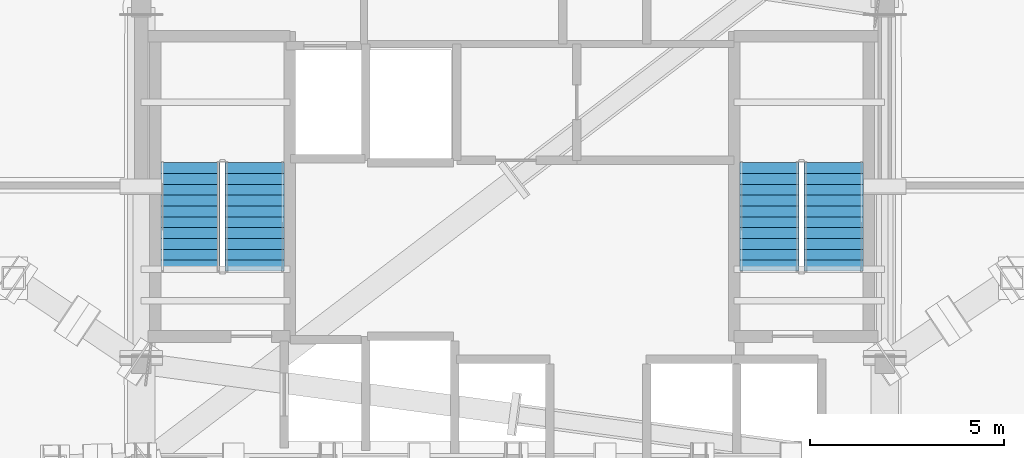
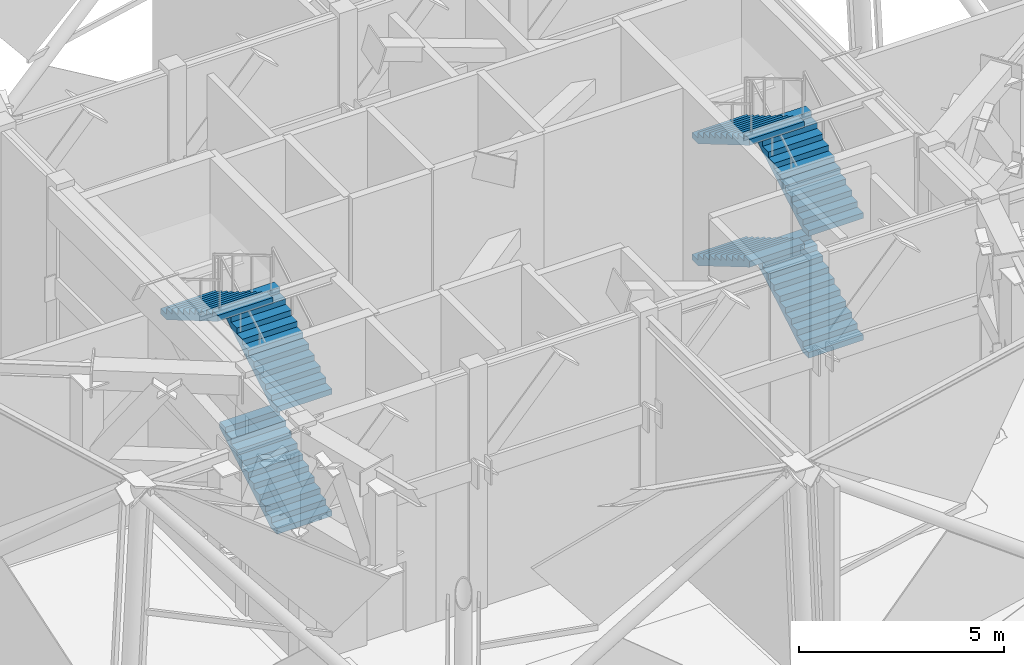
# One storey, part 9 of 12: 7 stair flights, 2 elements without a shape of their own.
"""IFC4 building model written with IfcOpenShell, lengths in metres."""

from ifc_helpers import new_model, si_unit, direction, frame, origin, place, context, subcontext, project, spatial, polyline, outline, extrude, material, type_object, element, aggregate, save


model = new_model("IFC4")

# Units and contexts
model_context = context("Model", 3, precision=1e-05, world=origin(), true_north=direction((0.0, 1.0)))
body_context = subcontext(model_context, "Body", "Model", "MODEL_VIEW")
ifc_project = project(units=[si_unit("LENGTHUNIT", "METRE"), si_unit("AREAUNIT", "SQUARE_METRE"), si_unit("VOLUMEUNIT", "CUBIC_METRE"), si_unit("PLANEANGLEUNIT", "RADIAN"), si_unit("MASSUNIT", "GRAM", prefix="KILO")], contexts=[model_context])

# Site, building, storey
site_placement = place(None, origin())
site = spatial("IfcSite", under=ifc_project, at=site_placement, CompositionType="ELEMENT")
building_placement = place(site_placement, origin())
building = spatial("IfcBuilding", under=site, at=building_placement, Name="Vantalir Tower", CompositionType="ELEMENT")
storey_placement = place(building_placement, frame((0.0, 0.0, 304.5)))
storey = spatial("IfcBuildingStorey", under=building, at=storey_placement, Name="L76", CompositionType="ELEMENT", Elevation=304.5)

# Stair, stair flights
ifc_material = material(Name="Concrete C40/50", Category="concrete")
stair_type = type_object("IfcStairType", Name="STR-CORE-1450", PredefinedType="HALF_TURN_STAIR", material=ifc_material)
stair_1_placement = place(storey_placement, origin())
stair_1 = element("IfcStair", 1, at=stair_1_placement, inside=storey, type_object=stair_type, Name="L76 Core Exit Stair 1", PredefinedType="HALF_TURN_STAIR")
stair_flight_type = type_object("IfcStairFlightType", Name="FLT-CORE-1450", PredefinedType="STRAIGHT", material=ifc_material)
stair_flight_1_placement = place(storey_placement, frame((24.830078125, 22.7900390625, 0.0), z_axis=(0.0, 0.0, 1.0), x_axis=(0.0, 1.0, 0.0)))
stair_flight_1 = element("IfcStairFlight", 2, at=stair_flight_1_placement, type_object=stair_flight_type, Name="ST1 flight 1", NumberOfRisers=11, NumberOfTreads=10, PredefinedType="STRAIGHT", RiserHeight=0.164772727, TreadLength=0.28, context=body_context, shape_type="SweptSolid", body=[
    extrude(outline(polyline([(0.0, 0.0), (0.0, 0.164794921875), (0.280029296875, 0.164794921875), (0.280029296875, 0.32958984375), (0.56005859375, 0.32958984375), (0.56005859375, 0.494384765625), (0.840087890625, 0.494384765625), (0.840087890625, 0.6591796875), (1.1201171875, 0.6591796875), (1.1201171875, 0.823974609375), (1.39990234375, 0.823974609375), (1.39990234375, 0.988525390625), (1.679931640625, 0.988525390625), (1.679931640625, 1.1533203125), (1.9599609375, 1.1533203125), (1.9599609375, 1.318115234375), (2.239990234375, 1.318115234375), (2.239990234375, 1.48291015625), (2.52001953125, 1.48291015625), (2.52001953125, 1.647705078125), (2.800048828125, 1.647705078125), (2.800048828125, 1.8125), (2.800048828125, 1.473876953125), (0.295654296875, 0.0), (0.0, 0.0)])), frame((0.0, 0.77001953125, 0.0), z_axis=(0.0, -1.0, 0.0), x_axis=(1.0, 0.0, 0.0)), (0.0, 0.0, 1.0), 1.5400390625),
])
stair_flight_2_placement = place(storey_placement, frame((24.830078125, 22.7900390625, 3.625), z_axis=(0.0, 0.0, 1.0), x_axis=(0.0, 1.0, 0.0)))
stair_flight_2 = element("IfcStairFlight", 3, at=stair_flight_2_placement, type_object=stair_flight_type, Name="ST1 flight 3", NumberOfRisers=11, NumberOfTreads=10, PredefinedType="STRAIGHT", RiserHeight=0.164772727, TreadLength=0.28, context=body_context, shape_type="SweptSolid", body=[
    extrude(outline(polyline([(0.0, 0.0), (0.0, 0.164794921875), (0.280029296875, 0.164794921875), (0.280029296875, 0.32958984375), (0.56005859375, 0.32958984375), (0.56005859375, 0.494384765625), (0.840087890625, 0.494384765625), (0.840087890625, 0.6591796875), (1.1201171875, 0.6591796875), (1.1201171875, 0.823974609375), (1.39990234375, 0.823974609375), (1.39990234375, 0.988525390625), (1.679931640625, 0.988525390625), (1.679931640625, 1.1533203125), (1.9599609375, 1.1533203125), (1.9599609375, 1.318115234375), (2.239990234375, 1.318115234375), (2.239990234375, 1.48291015625), (2.52001953125, 1.48291015625), (2.52001953125, 1.647705078125), (2.800048828125, 1.647705078125), (2.800048828125, 1.8125), (2.800048828125, 1.473876953125), (0.295654296875, 0.0), (0.0, 0.0)])), frame((0.0, 0.77001953125, 0.0), z_axis=(0.0, -1.0, 0.0), x_axis=(1.0, 0.0, 0.0)), (0.0, 0.0, 1.0), 1.5400390625),
])
stair_flight_3_placement = place(storey_placement, frame((23.169921875, 25.590087890625, 5.4375), z_axis=(0.0, 0.0, 1.0), x_axis=(0.0, -1.0, 0.0)))
stair_flight_3 = element("IfcStairFlight", 4, at=stair_flight_3_placement, type_object=stair_flight_type, Name="ST1 flight 4", NumberOfRisers=11, NumberOfTreads=10, PredefinedType="STRAIGHT", RiserHeight=0.164772727, TreadLength=0.28, context=body_context, shape_type="SweptSolid", body=[
    extrude(outline(polyline([(0.0, 0.0), (0.0, 0.164794921875), (0.280029296875, 0.164794921875), (0.280029296875, 0.32958984375), (0.56005859375, 0.32958984375), (0.56005859375, 0.494384765625), (0.840087890625, 0.494384765625), (0.840087890625, 0.6591796875), (1.1201171875, 0.6591796875), (1.1201171875, 0.823974609375), (1.39990234375, 0.823974609375), (1.39990234375, 0.988525390625), (1.679931640625, 0.988525390625), (1.679931640625, 1.1533203125), (1.9599609375, 1.1533203125), (1.9599609375, 1.318115234375), (2.239990234375, 1.318115234375), (2.239990234375, 1.48291015625), (2.52001953125, 1.48291015625), (2.52001953125, 1.647705078125), (2.800048828125, 1.647705078125), (2.800048828125, 1.8125), (2.800048828125, 1.473876953125), (0.295654296875, 0.0), (0.0, 0.0)])), frame((0.0, 0.77001953125, 0.0), z_axis=(0.0, -1.0, 0.0), x_axis=(1.0, 0.0, 0.0)), (0.0, 0.0, 1.0), 1.5400390625),
])
aggregate(stair_1, [stair_flight_1, stair_flight_2, stair_flight_3])

stair_2_placement = place(storey_placement, origin())
stair_2 = element("IfcStair", 5, at=stair_2_placement, inside=storey, type_object=stair_type, Name="L76 Core Exit Stair 2", PredefinedType="HALF_TURN_STAIR")
stair_flight_4_placement = place(storey_placement, frame((39.780029296875, 22.7900390625, 0.0), z_axis=(0.0, 0.0, 1.0), x_axis=(0.0, 1.0, 0.0)))
stair_flight_4 = element("IfcStairFlight", 6, at=stair_flight_4_placement, type_object=stair_flight_type, Name="ST2 flight 1", NumberOfRisers=11, NumberOfTreads=10, PredefinedType="STRAIGHT", RiserHeight=0.164772727, TreadLength=0.28, context=body_context, shape_type="SweptSolid", body=[
    extrude(outline(polyline([(0.0, 0.0), (0.0, 0.164794921875), (0.280029296875, 0.164794921875), (0.280029296875, 0.32958984375), (0.56005859375, 0.32958984375), (0.56005859375, 0.494384765625), (0.840087890625, 0.494384765625), (0.840087890625, 0.6591796875), (1.1201171875, 0.6591796875), (1.1201171875, 0.823974609375), (1.39990234375, 0.823974609375), (1.39990234375, 0.988525390625), (1.679931640625, 0.988525390625), (1.679931640625, 1.1533203125), (1.9599609375, 1.1533203125), (1.9599609375, 1.318115234375), (2.239990234375, 1.318115234375), (2.239990234375, 1.48291015625), (2.52001953125, 1.48291015625), (2.52001953125, 1.647705078125), (2.800048828125, 1.647705078125), (2.800048828125, 1.8125), (2.800048828125, 1.473876953125), (0.295654296875, 0.0), (0.0, 0.0)])), frame((0.0, 0.77001953125, 0.0), z_axis=(0.0, -1.0, 0.0), x_axis=(1.0, 0.0, 0.0)), (0.0, 0.0, 1.0), 1.5400390625),
])
stair_flight_5_placement = place(storey_placement, frame((38.1201171875, 25.590087890625, 1.8125), z_axis=(0.0, 0.0, 1.0), x_axis=(0.0, -1.0, 0.0)))
stair_flight_5 = element("IfcStairFlight", 7, at=stair_flight_5_placement, type_object=stair_flight_type, Name="ST2 flight 2", NumberOfRisers=11, NumberOfTreads=10, PredefinedType="STRAIGHT", RiserHeight=0.164772727, TreadLength=0.28, context=body_context, shape_type="SweptSolid", body=[
    extrude(outline(polyline([(0.0, 0.0), (0.0, 0.164794921875), (0.280029296875, 0.164794921875), (0.280029296875, 0.32958984375), (0.56005859375, 0.32958984375), (0.56005859375, 0.494384765625), (0.840087890625, 0.494384765625), (0.840087890625, 0.6591796875), (1.1201171875, 0.6591796875), (1.1201171875, 0.823974609375), (1.39990234375, 0.823974609375), (1.39990234375, 0.988525390625), (1.679931640625, 0.988525390625), (1.679931640625, 1.1533203125), (1.9599609375, 1.1533203125), (1.9599609375, 1.318115234375), (2.239990234375, 1.318115234375), (2.239990234375, 1.48291015625), (2.52001953125, 1.48291015625), (2.52001953125, 1.647705078125), (2.800048828125, 1.647705078125), (2.800048828125, 1.8125), (2.800048828125, 1.473876953125), (0.295654296875, 0.0), (0.0, 0.0)])), frame((0.0, 0.77001953125, 0.0), z_axis=(0.0, -1.0, 0.0), x_axis=(1.0, 0.0, 0.0)), (0.0, 0.0, 1.0), 1.5400390625),
])
stair_flight_6_placement = place(storey_placement, frame((39.780029296875, 22.7900390625, 3.625), z_axis=(0.0, 0.0, 1.0), x_axis=(0.0, 1.0, 0.0)))
stair_flight_6 = element("IfcStairFlight", 8, at=stair_flight_6_placement, type_object=stair_flight_type, Name="ST2 flight 3", NumberOfRisers=11, NumberOfTreads=10, PredefinedType="STRAIGHT", RiserHeight=0.164772727, TreadLength=0.28, context=body_context, shape_type="SweptSolid", body=[
    extrude(outline(polyline([(0.0, 0.0), (0.0, 0.164794921875), (0.280029296875, 0.164794921875), (0.280029296875, 0.32958984375), (0.56005859375, 0.32958984375), (0.56005859375, 0.494384765625), (0.840087890625, 0.494384765625), (0.840087890625, 0.6591796875), (1.1201171875, 0.6591796875), (1.1201171875, 0.823974609375), (1.39990234375, 0.823974609375), (1.39990234375, 0.988525390625), (1.679931640625, 0.988525390625), (1.679931640625, 1.1533203125), (1.9599609375, 1.1533203125), (1.9599609375, 1.318115234375), (2.239990234375, 1.318115234375), (2.239990234375, 1.48291015625), (2.52001953125, 1.48291015625), (2.52001953125, 1.647705078125), (2.800048828125, 1.647705078125), (2.800048828125, 1.8125), (2.800048828125, 1.473876953125), (0.295654296875, 0.0), (0.0, 0.0)])), frame((0.0, 0.77001953125, 0.0), z_axis=(0.0, -1.0, 0.0), x_axis=(1.0, 0.0, 0.0)), (0.0, 0.0, 1.0), 1.5400390625),
])
stair_flight_7_placement = place(storey_placement, frame((38.1201171875, 25.590087890625, 5.4375), z_axis=(0.0, 0.0, 1.0), x_axis=(0.0, -1.0, 0.0)))
stair_flight_7 = element("IfcStairFlight", 9, at=stair_flight_7_placement, type_object=stair_flight_type, Name="ST2 flight 4", NumberOfRisers=11, NumberOfTreads=10, PredefinedType="STRAIGHT", RiserHeight=0.164772727, TreadLength=0.28, context=body_context, shape_type="SweptSolid", body=[
    extrude(outline(polyline([(0.0, 0.0), (0.0, 0.164794921875), (0.280029296875, 0.164794921875), (0.280029296875, 0.32958984375), (0.56005859375, 0.32958984375), (0.56005859375, 0.494384765625), (0.840087890625, 0.494384765625), (0.840087890625, 0.6591796875), (1.1201171875, 0.6591796875), (1.1201171875, 0.823974609375), (1.39990234375, 0.823974609375), (1.39990234375, 0.988525390625), (1.679931640625, 0.988525390625), (1.679931640625, 1.1533203125), (1.9599609375, 1.1533203125), (1.9599609375, 1.318115234375), (2.239990234375, 1.318115234375), (2.239990234375, 1.48291015625), (2.52001953125, 1.48291015625), (2.52001953125, 1.647705078125), (2.800048828125, 1.647705078125), (2.800048828125, 1.8125), (2.800048828125, 1.473876953125), (0.295654296875, 0.0), (0.0, 0.0)])), frame((0.0, 0.77001953125, 0.0), z_axis=(0.0, -1.0, 0.0), x_axis=(1.0, 0.0, 0.0)), (0.0, 0.0, 1.0), 1.5400390625),
])
aggregate(stair_2, [stair_flight_4, stair_flight_5, stair_flight_6, stair_flight_7])

save(model, "model.ifc")
